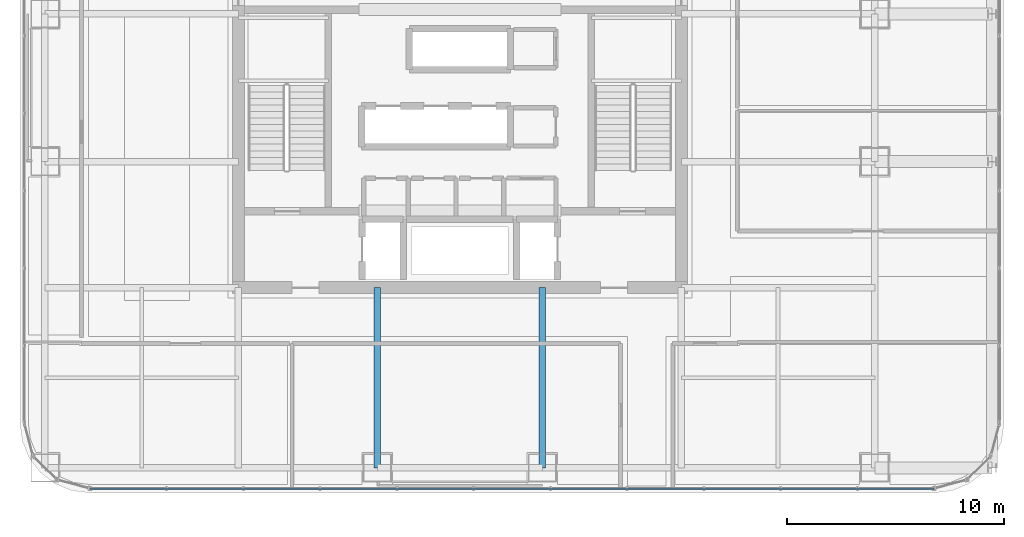
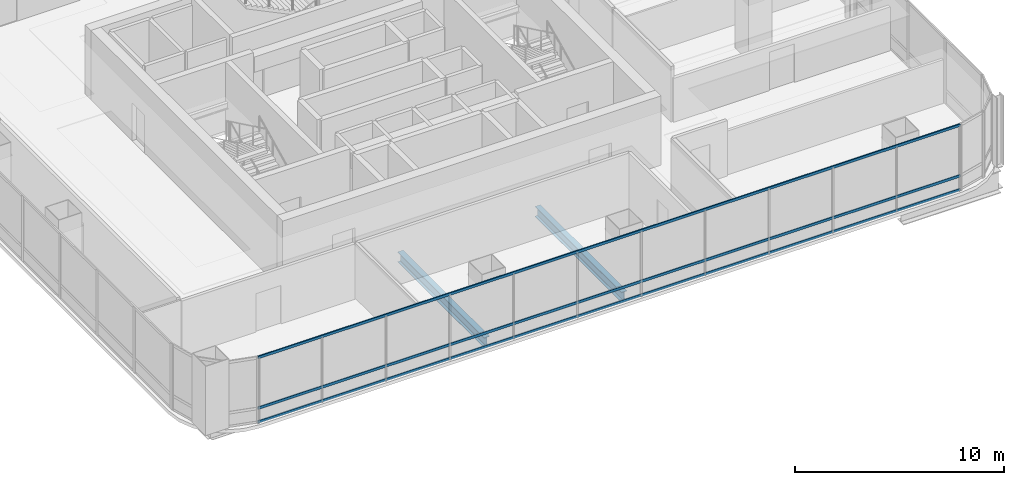
# One storey, part 7 of 42: 3 members, 2 beams, 1 element without a shape of its own.
"""IFC4 building model written with IfcOpenShell, lengths in metres."""

from ifc_helpers import new_model, si_unit, direction, frame, origin, origin_2d, place, context, subcontext, project, spatial, hollow_rectangle, i_section, extrude, material, material_profile, profile_set, type_object, element, aggregate, save


model = new_model("IFC4")

# Units and contexts
model_context = context("Model", 3, precision=1e-05, world=origin(), true_north=direction((0.0, 1.0)))
body_context = subcontext(model_context, "Body", "Model", "MODEL_VIEW")
ifc_project = project(units=[si_unit("LENGTHUNIT", "METRE"), si_unit("AREAUNIT", "SQUARE_METRE"), si_unit("VOLUMEUNIT", "CUBIC_METRE"), si_unit("PLANEANGLEUNIT", "RADIAN"), si_unit("MASSUNIT", "GRAM", prefix="KILO")], contexts=[model_context])

# Site, building, storey
site_placement = place(None, origin())
site = spatial("IfcSite", under=ifc_project, at=site_placement, CompositionType="ELEMENT")
building_placement = place(site_placement, origin())
building = spatial("IfcBuilding", under=site, at=building_placement, Name="Punatoya Terracotta Tower", CompositionType="ELEMENT")
storey_placement = place(building_placement, frame((0.0, 0.0, 255.449951171875)))
storey = spatial("IfcBuildingStorey", under=building, at=storey_placement, Name="L60", CompositionType="ELEMENT", Elevation=255.449951171875)

# Beams
ifc_material_1 = material(Name="Steel S355", Category="steel")
ifc_material_profile_1 = material_profile(ifc_material_1, i_section(OverallWidth=0.300048828125, OverallDepth=0.60009765625, WebThickness=0.015380859375, FlangeThickness=0.030029296875, FilletRadius=0.01806640625, at=origin_2d()))
ifc_profile_set_1 = profile_set([ifc_material_profile_1], Name="Steel S355")
beam_type = type_object("IfcBeamType", Name="BM-PRI-600", PredefinedType="BEAM", material=ifc_profile_set_1)
for number, where, z_axis, x_axis, name in (
    (1, (-3.800048828125, -17.5, -0.5), (0.0, 1.0, 0.0), (-1.0, 0.0, 0.0), "BM-L60-PR-S2"),
    (2, (3.800048828125, -17.5, -0.5), (0.0, 1.0, 0.0), (-1.0, 0.0, 0.0), "BM-L60-PR-S3"),
):
    element("IfcBeam", number, at=place(storey_placement, frame(where, z_axis=z_axis, x_axis=x_axis)), inside=storey, type_object=beam_type, Name=name, PredefinedType="BEAM", context=body_context, shape_type="SweptSolid", body=[
        extrude(i_section(OverallWidth=0.300048828125, OverallDepth=0.60009765625, WebThickness=0.015380859375, FlangeThickness=0.030029296875, FilletRadius=0.01806640625, at=origin_2d()), origin(), (0.0, 0.0, 1.0), 8.300048828125),
    ])

# Curtain wall, members
ifc_material_2 = material(Name="Aluminium 6063-T6 + Double Low-E Glass", Category="aluminium")
curtain_wall_type = type_object("IfcCurtainWallType", Name="CW-M3", PredefinedType="NOTDEFINED", material=ifc_material_2)
curtain_wall_placement = place(storey_placement, origin())
curtain_wall = element("IfcCurtainWall", 3, at=curtain_wall_placement, inside=storey, type_object=curtain_wall_type, Name="L60 Curtain Wall CW-L60-S01-1", PredefinedType="NOTDEFINED")
ifc_material_3 = material(Name="Aluminium 6063-T6", Category="aluminium")
ifc_material_profile_2 = material_profile(ifc_material_3, hollow_rectangle(XDim=0.068115234375, YDim=0.14990234375, WallThickness=0.00390625, at=origin_2d()))
ifc_profile_set_2 = profile_set([ifc_material_profile_2], Name="Aluminium 6063-T6")
member_type = type_object("IfcMemberType", Name="CW-TRN-TYP", PredefinedType="USERDEFINED", material=ifc_profile_set_2)
member_1_placement = place(storey_placement, frame((-17.036865234375, -18.449951171875, 0.0400390625), z_axis=(1.0, 0.0, 0.0), x_axis=(0.0, 1.0, 0.0)))
member_1 = element("IfcMember", 4, at=member_1_placement, type_object=member_type, Name="CW-L60-S01-1 Transom 1", ObjectType="TRANSOM", PredefinedType="USERDEFINED", context=body_context, shape_type="SweptSolid", body=[
    extrude(hollow_rectangle(XDim=0.068115234375, YDim=0.14990234375, WallThickness=0.00390625, at=origin_2d()), origin(), (0.0, 0.0, 1.0), 38.873779296875),
])
member_2_placement = place(storey_placement, frame((-17.036865234375, -18.449951171875, 0.85009765625), z_axis=(1.0, 0.0, 0.0), x_axis=(0.0, 1.0, 0.0)))
member_2 = element("IfcMember", 5, at=member_2_placement, type_object=member_type, Name="CW-L60-S01-1 Transom 2", ObjectType="TRANSOM", PredefinedType="USERDEFINED", context=body_context, shape_type="SweptSolid", body=[
    extrude(hollow_rectangle(XDim=0.068115234375, YDim=0.14990234375, WallThickness=0.00390625, at=origin_2d()), origin(), (0.0, 0.0, 1.0), 38.873779296875),
])
member_3_placement = place(storey_placement, frame((-17.036865234375, -18.449951171875, 3.81005859375), z_axis=(1.0, 0.0, 0.0), x_axis=(0.0, 1.0, 0.0)))
member_3 = element("IfcMember", 6, at=member_3_placement, type_object=member_type, Name="CW-L60-S01-1 Transom 3", ObjectType="TRANSOM", PredefinedType="USERDEFINED", context=body_context, shape_type="SweptSolid", body=[
    extrude(hollow_rectangle(XDim=0.068115234375, YDim=0.14990234375, WallThickness=0.00390625, at=origin_2d()), origin(), (0.0, 0.0, 1.0), 38.873779296875),
])
aggregate(curtain_wall, [member_1, member_2, member_3])

save(model, "model.ifc")
